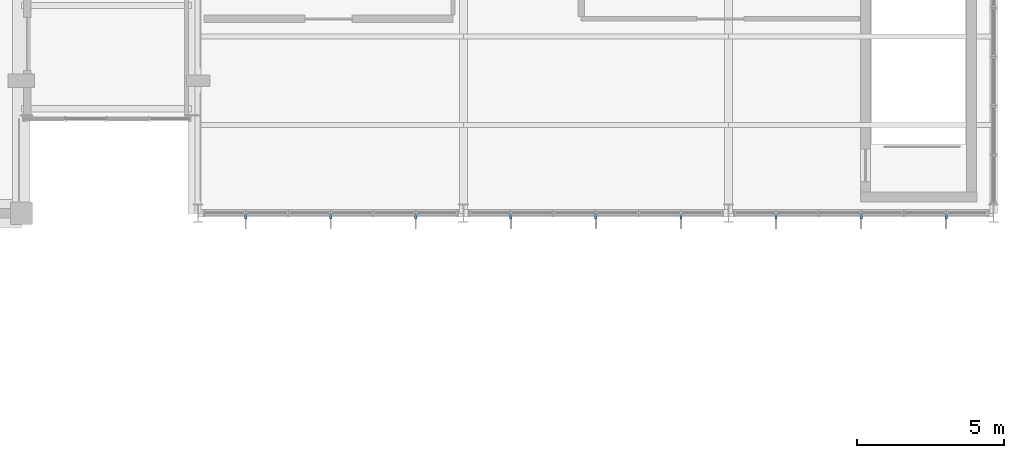
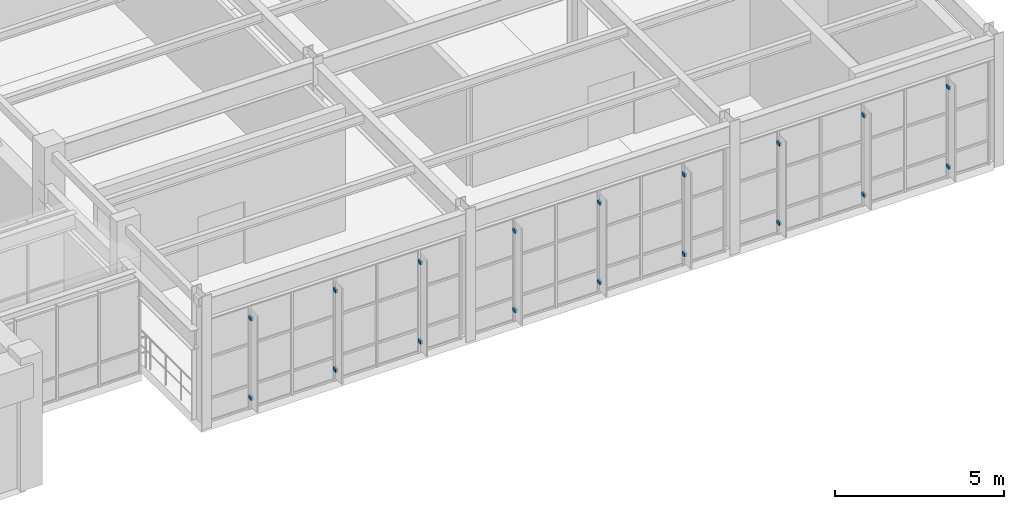
# One storey, part 91 of 99: 18 discrete accessories.
"""IFC4 building model written with IfcOpenShell, lengths in metres."""

from ifc_helpers import new_model, si_unit, direction, frame, origin, origin_2d, place, context, subcontext, project, spatial, rectangle, extrude, material, type_object, element, save


model = new_model("IFC4")

# Units and contexts
model_context = context("Model", 3, precision=1e-05, world=origin(), true_north=direction((0.0, 1.0)))
body_context = subcontext(model_context, "Body", "Model", "MODEL_VIEW")
ifc_project = project(units=[si_unit("LENGTHUNIT", "METRE"), si_unit("AREAUNIT", "SQUARE_METRE"), si_unit("VOLUMEUNIT", "CUBIC_METRE"), si_unit("PLANEANGLEUNIT", "RADIAN"), si_unit("MASSUNIT", "GRAM", prefix="KILO")], contexts=[model_context])

# Site, building, storey
site_placement = place(None, origin())
site = spatial("IfcSite", under=ifc_project, at=site_placement, CompositionType="ELEMENT")
building_placement = place(site_placement, origin())
building = spatial("IfcBuilding", under=site, at=building_placement, Name="Ventoquebrada Cableway Terminal", CompositionType="ELEMENT")
storey_placement = place(building_placement, frame((0.0, 0.0, 9.60009765625)))
storey = spatial("IfcBuildingStorey", under=building, at=storey_placement, Name="L02", CompositionType="ELEMENT", Elevation=9.60009765625)

# Discrete accessories
ifc_material = material(Name="Anodized thermally-broken aluminium", Category="aluminium")
discrete_accessory_type = type_object("IfcDiscreteAccessoryType", Name="BRK-01", PredefinedType="BRACKET", material=ifc_material)
for number, where, z_axis, x_axis, name in (
    (1, (130.613037109375, 76.8798828125, 0.389892578125), (0.0, 0.0, 1.0), (1.0, 0.0, 0.0), "Sunshade bracket FN-053"),
    (2, (130.613037109375, 76.8798828125, 3.2529296875), (0.0, 0.0, 1.0), (1.0, 0.0, 0.0), "Sunshade bracket FN-053"),
    (3, (133.5, 76.8798828125, 0.389892578125), (0.0, 0.0, 1.0), (1.0, 0.0, 0.0), "Sunshade bracket FN-054"),
    (4, (133.5, 76.8798828125, 3.2529296875), (0.0, 0.0, 1.0), (1.0, 0.0, 0.0), "Sunshade bracket FN-054"),
    (5, (136.386962890625, 76.8798828125, 0.389892578125), (0.0, 0.0, 1.0), (1.0, 0.0, 0.0), "Sunshade bracket FN-055"),
    (6, (136.386962890625, 76.8798828125, 3.2529296875), (0.0, 0.0, 1.0), (1.0, 0.0, 0.0), "Sunshade bracket FN-055"),
    (7, (139.613037109375, 76.8798828125, 0.389892578125), (0.0, 0.0, 1.0), (1.0, 0.0, 0.0), "Sunshade bracket FN-056"),
    (8, (139.613037109375, 76.8798828125, 3.2529296875), (0.0, 0.0, 1.0), (1.0, 0.0, 0.0), "Sunshade bracket FN-056"),
    (9, (142.5, 76.8798828125, 0.389892578125), (0.0, 0.0, 1.0), (1.0, 0.0, 0.0), "Sunshade bracket FN-057"),
    (10, (142.5, 76.8798828125, 3.2529296875), (0.0, 0.0, 1.0), (1.0, 0.0, 0.0), "Sunshade bracket FN-057"),
    (11, (145.386962890625, 76.8798828125, 0.389892578125), (0.0, 0.0, 1.0), (1.0, 0.0, 0.0), "Sunshade bracket FN-058"),
    (12, (145.386962890625, 76.8798828125, 3.2529296875), (0.0, 0.0, 1.0), (1.0, 0.0, 0.0), "Sunshade bracket FN-058"),
    (13, (148.613037109375, 76.8798828125, 0.389892578125), (0.0, 0.0, 1.0), (1.0, 0.0, 0.0), "Sunshade bracket FN-059"),
    (14, (148.613037109375, 76.8798828125, 3.2529296875), (0.0, 0.0, 1.0), (1.0, 0.0, 0.0), "Sunshade bracket FN-059"),
    (15, (151.5, 76.8798828125, 0.389892578125), (0.0, 0.0, 1.0), (1.0, 0.0, 0.0), "Sunshade bracket FN-060"),
    (16, (151.5, 76.8798828125, 3.2529296875), (0.0, 0.0, 1.0), (1.0, 0.0, 0.0), "Sunshade bracket FN-060"),
    (17, (154.386962890625, 76.8798828125, 0.389892578125), (0.0, 0.0, 1.0), (1.0, 0.0, 0.0), "Sunshade bracket FN-061"),
    (18, (154.386962890625, 76.8798828125, 3.2529296875), (0.0, 0.0, 1.0), (1.0, 0.0, 0.0), "Sunshade bracket FN-061"),
):
    element("IfcDiscreteAccessory", number, at=place(storey_placement, frame(where, z_axis=z_axis, x_axis=x_axis)), inside=storey, type_object=discrete_accessory_type, Name=name, PredefinedType="BRACKET", context=body_context, shape_type="SweptSolid", body=[
        extrude(rectangle(XDim=0.080078125, YDim=0.159912109375, at=origin_2d()), origin(), (0.0, 0.0, 1.0), 0.1201171875),
    ])

save(model, "model.ifc")
